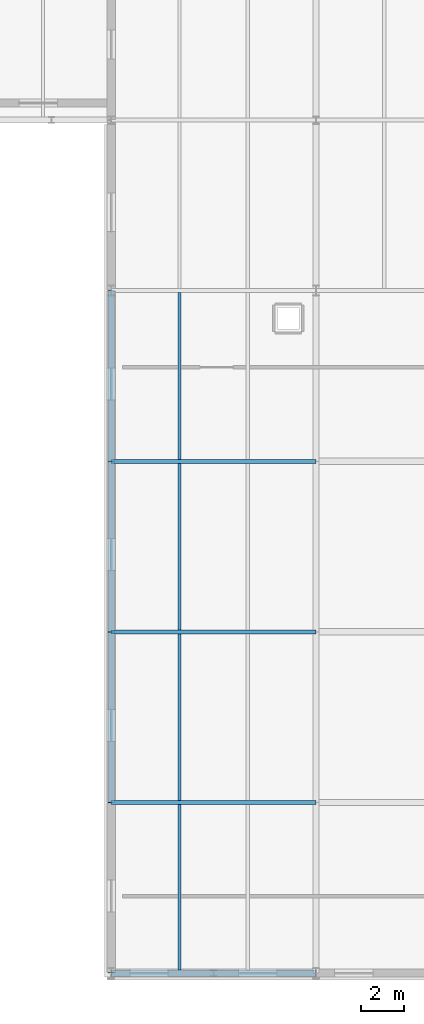
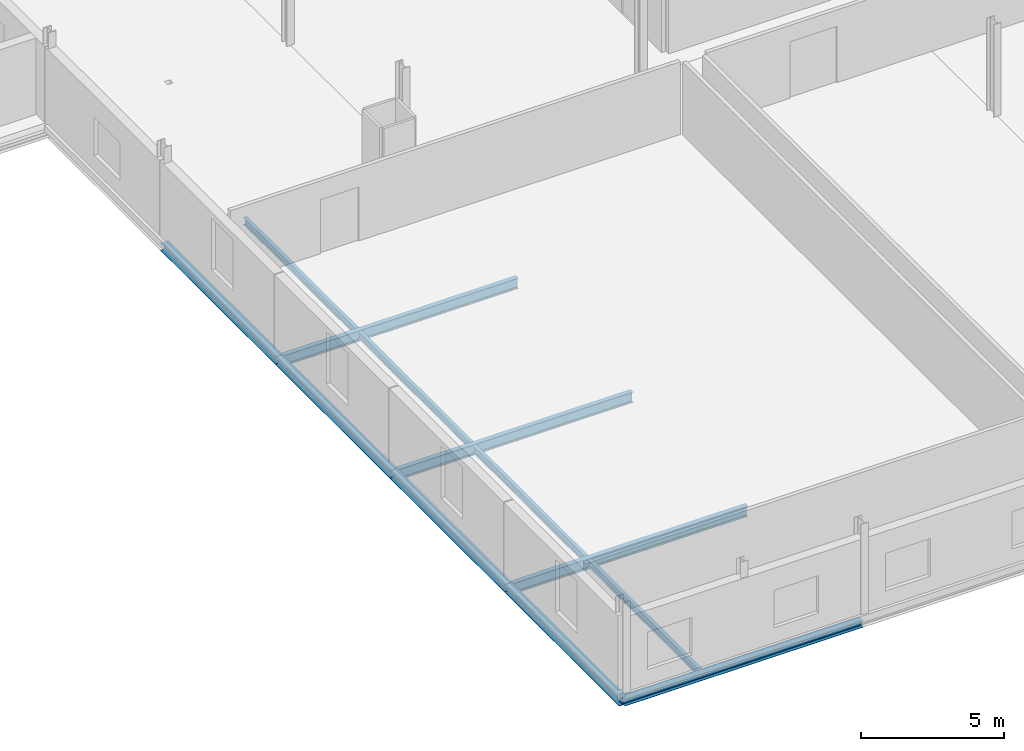
# One storey, part 30 of 78: 12 beams.
"""IFC4 building model written with IfcOpenShell, lengths in metres."""

from ifc_helpers import new_model, si_unit, direction, frame, origin, origin_2d, place, context, subcontext, project, spatial, i_section, extrude, material, material_profile, profile_set, type_object, element, save


model = new_model("IFC4")

# Units and contexts
model_context = context("Model", 3, precision=1e-05, world=origin(), true_north=direction((0.0, 1.0)))
body_context = subcontext(model_context, "Body", "Model", "MODEL_VIEW")
ifc_project = project(units=[si_unit("LENGTHUNIT", "METRE"), si_unit("AREAUNIT", "SQUARE_METRE"), si_unit("VOLUMEUNIT", "CUBIC_METRE"), si_unit("PLANEANGLEUNIT", "RADIAN"), si_unit("MASSUNIT", "GRAM", prefix="KILO")], contexts=[model_context])

# Site, building, storey
site_placement = place(None, origin())
site = spatial("IfcSite", under=ifc_project, at=site_placement, CompositionType="ELEMENT")
building_placement = place(site_placement, origin())
building = spatial("IfcBuilding", under=site, at=building_placement, Name="Alderhovde Museum", CompositionType="ELEMENT")
storey_placement = place(building_placement, frame((0.0, 0.0, 4.5)))
storey = spatial("IfcBuildingStorey", under=building, at=storey_placement, Name="L01", CompositionType="ELEMENT", Elevation=4.5)

# Beams
ifc_material_1 = material(Name="Steel S355J2", Category="steel")
ifc_material_profile_1 = material_profile(ifc_material_1, i_section(OverallWidth=0.300048828125, OverallDepth=0.330078125, WebThickness=0.009521484375, FlangeThickness=0.0166015625, FilletRadius=0.027099609375, at=origin_2d()), Name="HEA 340")
ifc_profile_set_1 = profile_set([ifc_material_profile_1], Name="Steel S355J2")
beam_type_1 = type_object("IfcBeamType", Name="BM-HEA340", PredefinedType="BEAM", material=ifc_profile_set_1)
for number, where, z_axis, x_axis, name in (
    (1, (67.199951171875, 0.0, -0.425048828125), (0.0, 1.0, 0.0), (-1.0, 0.0, 0.0), "L01 Grid Beam X=67.2 (0.0 TO 8.0)"),
    (2, (67.199951171875, 8.0, -0.425048828125), (0.0, 1.0, 0.0), (-1.0, 0.0, 0.0), "L01 Grid Beam X=67.2 (8.0 TO 16.0)"),
    (3, (67.199951171875, 16.0, -0.425048828125), (0.0, 1.0, 0.0), (-1.0, 0.0, 0.0), "L01 Grid Beam X=67.2 (16.0 TO 24.0)"),
    (4, (67.199951171875, 24.0, -0.425048828125), (0.0, 1.0, 0.0), (-1.0, 0.0, 0.0), "L01 Grid Beam X=67.2 (24.0 TO 32.0)"),
):
    element("IfcBeam", number, at=place(storey_placement, frame(where, z_axis=z_axis, x_axis=x_axis)), inside=storey, type_object=beam_type_1, Name=name, PredefinedType="BEAM", context=body_context, shape_type="SweptSolid", body=[
        extrude(i_section(OverallWidth=0.300048828125, OverallDepth=0.330078125, WebThickness=0.009521484375, FlangeThickness=0.0166015625, FilletRadius=0.027099609375, at=origin_2d()), origin(), (0.0, 0.0, 1.0), 8.0),
    ])
ifc_material_2 = material(Name="Steel S355J2", Category="steel")
ifc_material_profile_2 = material_profile(ifc_material_2, i_section(OverallWidth=0.18994140625, OverallDepth=0.449951171875, WebThickness=0.009521484375, FlangeThickness=0.0146484375, FilletRadius=0.02099609375, at=origin_2d()), Name="IPE 450")
ifc_profile_set_2 = profile_set([ifc_material_profile_2], Name="Steel S355J2")
beam_type_2 = type_object("IfcBeamType", Name="BM-IPE450", PredefinedType="BEAM", material=ifc_profile_set_2)
for number, where, z_axis, x_axis, name in (
    (5, (67.199951171875, 8.0, -0.485107421875), (1.0, 0.0, 0.0), (0.0, 1.0, 0.0), "L01 Grid Beam Y=8.0 (67.2 TO 76.8)"),
    (6, (67.199951171875, 16.0, -0.485107421875), (1.0, 0.0, 0.0), (0.0, 1.0, 0.0), "L01 Grid Beam Y=16.0 (67.2 TO 76.8)"),
    (7, (67.199951171875, 24.0, -0.485107421875), (1.0, 0.0, 0.0), (0.0, 1.0, 0.0), "L01 Grid Beam Y=24.0 (67.2 TO 76.8)"),
):
    element("IfcBeam", number, at=place(storey_placement, frame(where, z_axis=z_axis, x_axis=x_axis)), inside=storey, type_object=beam_type_2, Name=name, PredefinedType="BEAM", context=body_context, shape_type="SweptSolid", body=[
        extrude(i_section(OverallWidth=0.18994140625, OverallDepth=0.449951171875, WebThickness=0.009521484375, FlangeThickness=0.0146484375, FilletRadius=0.02099609375, at=origin_2d()), origin(), (0.0, 0.0, 1.0), 9.60009765625),
    ])
ifc_material_3 = material(Name="Steel S355J2", Category="steel")
ifc_material_profile_3 = material_profile(ifc_material_3, i_section(OverallWidth=0.14990234375, OverallDepth=0.300048828125, WebThickness=0.007080078125, FlangeThickness=0.0107421875, FilletRadius=0.014892578125, at=origin_2d()), Name="IPE 300")
ifc_profile_set_3 = profile_set([ifc_material_profile_3], Name="Steel S355J2")
beam_type_3 = type_object("IfcBeamType", Name="JST-IPE300", PredefinedType="JOIST", material=ifc_profile_set_3)
beam_1_placement = place(storey_placement, frame((70.39990234375, 0.14990234375, -0.409912109375), z_axis=(0.0, 1.0, 0.0), x_axis=(-1.0, 0.0, 0.0)))
element("IfcBeam", 8, at=beam_1_placement, inside=storey, type_object=beam_type_3, Name="L01 Composite Joist X=70.4 (0.0 TO 8.0)", PredefinedType="JOIST", context=body_context, shape_type="SweptSolid", body=[
    extrude(i_section(OverallWidth=0.14990234375, OverallDepth=0.300048828125, WebThickness=0.007080078125, FlangeThickness=0.0107421875, FilletRadius=0.014892578125, at=origin_2d()), origin(), (0.0, 0.0, 1.0), 7.755126953125),
])
for number, where, z_axis, x_axis, name in (
    (9, (70.39990234375, 8.094970703125, -0.409912109375), (0.0, 1.0, 0.0), (-1.0, 0.0, 0.0), "L01 Composite Joist X=70.4 (8.0 TO 16.0)"),
    (10, (70.39990234375, 16.094970703125, -0.409912109375), (0.0, 1.0, 0.0), (-1.0, 0.0, 0.0), "L01 Composite Joist X=70.4 (16.0 TO 24.0)"),
    (11, (70.39990234375, 24.094970703125, -0.409912109375), (0.0, 1.0, 0.0), (-1.0, 0.0, 0.0), "L01 Composite Joist X=70.4 (24.0 TO 32.0)"),
):
    element("IfcBeam", number, at=place(storey_placement, frame(where, z_axis=z_axis, x_axis=x_axis)), inside=storey, type_object=beam_type_3, Name=name, PredefinedType="JOIST", context=body_context, shape_type="SweptSolid", body=[
        extrude(i_section(OverallWidth=0.14990234375, OverallDepth=0.300048828125, WebThickness=0.007080078125, FlangeThickness=0.0107421875, FilletRadius=0.014892578125, at=origin_2d()), origin(), (0.0, 0.0, 1.0), 7.81005859375),
    ])
ifc_material_4 = material(Name="Steel S355J2", Category="steel")
ifc_material_profile_4 = material_profile(ifc_material_4, i_section(OverallWidth=0.300048828125, OverallDepth=0.2900390625, WebThickness=0.008544921875, FlangeThickness=0.013916015625, FilletRadius=0.027099609375, at=origin_2d()), Name="HEA 300")
ifc_profile_set_4 = profile_set([ifc_material_profile_4], Name="Steel S355J2")
beam_type_4 = type_object("IfcBeamType", Name="SPD-HEA300", PredefinedType="SPANDREL", material=ifc_profile_set_4)
beam_2_placement = place(storey_placement, frame((67.199951171875, 0.0, -0.405029296875), z_axis=(1.0, 0.0, 0.0), x_axis=(0.0, 1.0, 0.0)))
element("IfcBeam", 12, at=beam_2_placement, inside=storey, type_object=beam_type_4, Name="L01 Grid Beam Y=0.0 (67.2 TO 76.8)", PredefinedType="SPANDREL", context=body_context, shape_type="SweptSolid", body=[
    extrude(i_section(OverallWidth=0.300048828125, OverallDepth=0.2900390625, WebThickness=0.008544921875, FlangeThickness=0.013916015625, FilletRadius=0.027099609375, at=origin_2d()), origin(), (0.0, 0.0, 1.0), 9.60009765625),
])

save(model, "model.ifc")
